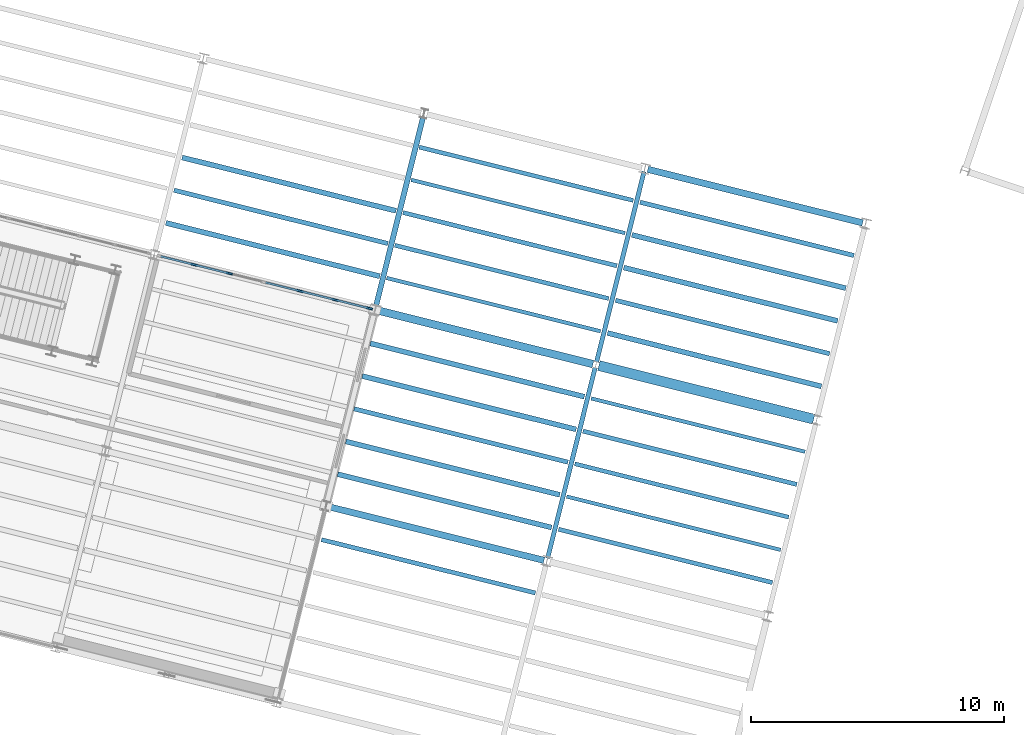
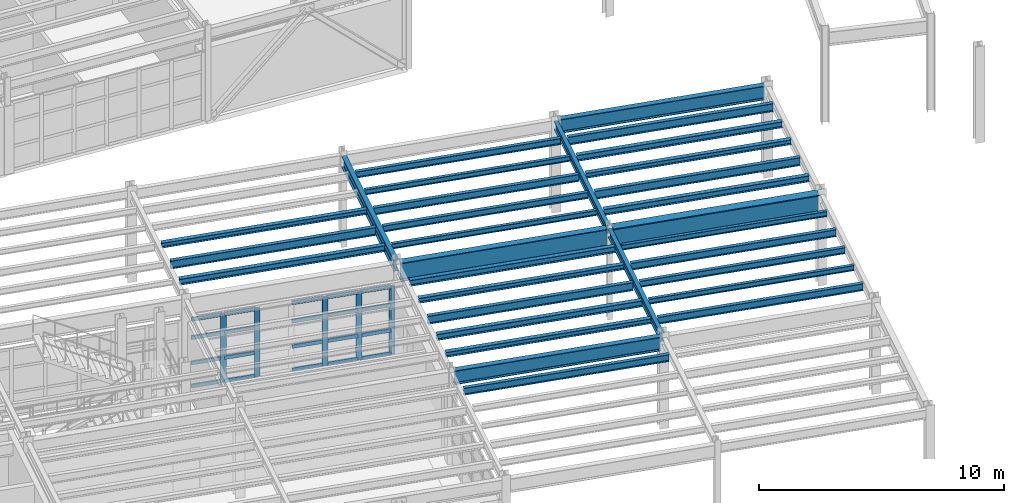
# One storey, part 35 of 109: 31 beams, 25 members, 1 element without a shape of its own.
"""IFC4 building model written with IfcOpenShell, lengths in metres."""

from ifc_helpers import new_model, si_unit, direction, frame, origin, origin_2d, place, context, subcontext, project, spatial, rectangle, i_section, extrude, material, layer, layer_set, material_profile, profile_set, type_object, element, aggregate, save


model = new_model("IFC4")

# Units and contexts
model_context = context("Model", 3, precision=1e-05, world=origin(), true_north=direction((0.0, 1.0)))
body_context = subcontext(model_context, "Body", "Model", "MODEL_VIEW")
ifc_project = project(units=[si_unit("LENGTHUNIT", "METRE"), si_unit("AREAUNIT", "SQUARE_METRE"), si_unit("VOLUMEUNIT", "CUBIC_METRE"), si_unit("PLANEANGLEUNIT", "RADIAN"), si_unit("MASSUNIT", "GRAM", prefix="KILO")], contexts=[model_context])

# Site, building, storey
site_placement = place(None, origin())
site = spatial("IfcSite", under=ifc_project, at=site_placement, CompositionType="ELEMENT")
building_placement = place(site_placement, origin())
building = spatial("IfcBuilding", under=site, at=building_placement, Name="Vireo Bluff Cable Station", CompositionType="ELEMENT")
storey_placement = place(building_placement, frame((0.0, 0.0, 4.800048828125)))
storey = spatial("IfcBuildingStorey", under=building, at=storey_placement, Name="L01", CompositionType="ELEMENT", Elevation=4.800048828125)

# Beams
ifc_material_1 = material(Name="Steel ASTM A992 Gr. 50", Category="steel")
ifc_material_profile_1 = material_profile(ifc_material_1, i_section(OverallWidth=0.178955078125, OverallDepth=0.408935546875, WebThickness=0.0087890625, FlangeThickness=0.014404296875, FilletRadius=0.010009765625, at=origin_2d()), Name="W16X45")
ifc_profile_set_1 = profile_set([ifc_material_profile_1], Name="Steel ASTM A992 Gr. 50")
beam_type_1 = type_object("IfcBeamType", Name="BM-W16X45", PredefinedType="BEAM", material=ifc_profile_set_1)
beam_1_placement = place(storey_placement, frame((90.89501953125, 37.169677734375, 4.33544921875), z_axis=(0.241935966891, 0.970292217801, 0.0), x_axis=(-0.970292217801, 0.241935966891, 0.0)))
element("IfcBeam", 1, at=beam_1_placement, inside=storey, type_object=beam_type_1, Name="V1 L01 beam 73", PredefinedType="BEAM", context=body_context, shape_type="SweptSolid", body=[
    extrude(i_section(OverallWidth=0.178955078125, OverallDepth=0.408935546875, WebThickness=0.0087890625, FlangeThickness=0.014404296875, FilletRadius=0.010009765625, at=origin_2d()), origin(), (0.0, 0.0, 1.0), 7.760009765625),
])
ifc_material_profile_2 = material_profile(ifc_material_1, i_section(OverallWidth=0.180908203125, OverallDepth=0.4169921875, WebThickness=0.010986328125, FlangeThickness=0.018310546875, FilletRadius=0.010009765625, at=origin_2d()), Name="W16X57")
ifc_profile_set_2 = profile_set([ifc_material_profile_2], Name="Steel ASTM A992 Gr. 50")
beam_type_2 = type_object("IfcBeamType", Name="BM-W16X57", PredefinedType="BEAM", material=ifc_profile_set_2)
beam_2_placement = place(storey_placement, frame((92.830322265625, 44.931884765625, 4.33154296875), z_axis=(0.241935966891, 0.970292217801, 0.0), x_axis=(-0.970292217801, 0.241935966891, 0.0)))
element("IfcBeam", 2, at=beam_2_placement, inside=storey, type_object=beam_type_2, Name="V1 L01 beam 74", PredefinedType="BEAM", context=body_context, shape_type="SweptSolid", body=[
    extrude(i_section(OverallWidth=0.180908203125, OverallDepth=0.4169921875, WebThickness=0.010986328125, FlangeThickness=0.018310546875, FilletRadius=0.010009765625, at=origin_2d()), origin(), (0.0, 0.0, 1.0), 7.760009765625),
])
ifc_material_profile_3 = material_profile(ifc_material_1, i_section(OverallWidth=0.214111328125, OverallDepth=0.549072265625, WebThickness=0.0146484375, FlangeThickness=0.023681640625, FilletRadius=0.012939453125, at=origin_2d()), Name="W21X93")
ifc_profile_set_3 = profile_set([ifc_material_profile_3], Name="Steel ASTM A992 Gr. 50")
beam_type_3 = type_object("IfcBeamType", Name="BM-W21X93", PredefinedType="BEAM", material=ifc_profile_set_3)
beam_3_placement = place(storey_placement, frame((84.09765625, 47.109375, 4.265380859375), z_axis=(0.241943352562, 0.970290376203, 0.0), x_axis=(-0.970290376203, 0.241943352562, 0.0)))
element("IfcBeam", 3, at=beam_3_placement, inside=storey, type_object=beam_type_3, Name="V1 L01 beam 71", PredefinedType="BEAM", context=body_context, shape_type="SweptSolid", body=[
    extrude(i_section(OverallWidth=0.214111328125, OverallDepth=0.549072265625, WebThickness=0.0146484375, FlangeThickness=0.023681640625, FilletRadius=0.012939453125, at=origin_2d()), origin(), (0.0, 0.0, 1.0), 7.759765625),
])

# Curtain wall, members
ifc_material_2 = material(Name="Anodized Aluminium 6063-T6", Category="aluminium")
ifc_layer = layer(ifc_material_2, 0.179931640625, Name="Anodized Aluminium 6063-T6")
ifc_layer_set = layer_set([ifc_layer], Name="Anodized Aluminium 6063-T6")
curtain_wall_type = type_object("IfcCurtainWallType", Name="CW-UNIT-1500", PredefinedType="USERDEFINED", material=ifc_layer_set)
curtain_wall_placement = place(storey_placement, origin())
curtain_wall = element("IfcCurtainWall", 4, at=curtain_wall_placement, inside=storey, type_object=curtain_wall_type, Name="V1 L01 north curtain wall CW-007", ObjectType="UNITISED CURTAIN WALL", PredefinedType="USERDEFINED")
ifc_material_profile_4 = material_profile(ifc_material_2, rectangle(XDim=0.080078125, YDim=0.239990234375, at=origin_2d()), Name="ALU-M-80X240")
ifc_profile_set_4 = profile_set([ifc_material_profile_4], Name="Anodized Aluminium 6063-T6")
member_type_1 = type_object("IfcMemberType", Name="CWM-04", PredefinedType="MULLION", material=ifc_profile_set_4)
member_1_placement = place(storey_placement, frame((76.91259765625, 48.777099609375, 0.0), z_axis=(0.0, 0.0, 1.0), x_axis=(0.241921864202, 0.970295734104, 0.0)))
member_1 = element("IfcMember", 5, at=member_1_placement, type_object=member_type_1, Name="CW-007 mullion 2", PredefinedType="MULLION", context=body_context, shape_type="SweptSolid", body=[
    extrude(rectangle(XDim=0.080078125, YDim=0.239990234375, at=origin_2d()), origin(), (0.0, 0.0, 1.0), 3.39990234375),
])
member_2_placement = place(storey_placement, frame((78.307373046875, 48.42919921875, 0.0), z_axis=(0.0, 0.0, 1.0), x_axis=(0.241921864202, 0.970295734104, 0.0)))
member_2 = element("IfcMember", 6, at=member_2_placement, type_object=member_type_1, Name="CW-007 mullion 3", PredefinedType="MULLION", context=body_context, shape_type="SweptSolid", body=[
    extrude(rectangle(XDim=0.080078125, YDim=0.239990234375, at=origin_2d()), origin(), (0.0, 0.0, 1.0), 3.39990234375),
])
member_3_placement = place(storey_placement, frame((81.097412109375, 47.733642578125, 0.0), z_axis=(0.0, 0.0, 1.0), x_axis=(0.241921864202, 0.970295734104, 0.0)))
member_3 = element("IfcMember", 7, at=member_3_placement, type_object=member_type_1, Name="CW-007 mullion 5", PredefinedType="MULLION", context=body_context, shape_type="SweptSolid", body=[
    extrude(rectangle(XDim=0.080078125, YDim=0.239990234375, at=origin_2d()), origin(), (0.0, 0.0, 1.0), 3.39990234375),
])
member_4_placement = place(storey_placement, frame((82.492431640625, 47.385986328125, 0.0), z_axis=(0.0, 0.0, 1.0), x_axis=(0.241921864202, 0.970295734104, 0.0)))
member_4 = element("IfcMember", 8, at=member_4_placement, type_object=member_type_1, Name="CW-007 mullion 6", PredefinedType="MULLION", context=body_context, shape_type="SweptSolid", body=[
    extrude(rectangle(XDim=0.080078125, YDim=0.239990234375, at=origin_2d()), origin(), (0.0, 0.0, 1.0), 3.39990234375),
])
member_5_placement = place(storey_placement, frame((83.848388671875, 47.0478515625, 0.0), z_axis=(0.0, 0.0, 1.0), x_axis=(0.241921864202, 0.970295734104, 0.0)))
member_5 = element("IfcMember", 9, at=member_5_placement, type_object=member_type_1, Name="CW-007 mullion 7", PredefinedType="MULLION", context=body_context, shape_type="SweptSolid", body=[
    extrude(rectangle(XDim=0.080078125, YDim=0.239990234375, at=origin_2d()), origin(), (0.0, 0.0, 1.0), 3.39990234375),
])
ifc_material_profile_5 = material_profile(ifc_material_2, rectangle(XDim=0.080078125, YDim=0.175048828125, at=origin_2d()), Name="ALU-T-80X175")
ifc_profile_set_5 = profile_set([ifc_material_profile_5], Name="Anodized Aluminium 6063-T6")
member_type_2 = type_object("IfcMemberType", Name="CWT-04", PredefinedType="USERDEFINED", material=ifc_profile_set_5)
member_6_placement = place(storey_placement, frame((75.59521484375, 49.10546875, 0.0400390625), z_axis=(0.970327500136, -0.241794421936, 0.0), x_axis=(0.241794421936, 0.970327500136, 0.0)))
member_6 = element("IfcMember", 10, at=member_6_placement, type_object=member_type_2, Name="CW-007 transom 1.1", ObjectType="TRANSOM", PredefinedType="USERDEFINED", context=body_context, shape_type="SweptSolid", body=[
    extrude(rectangle(XDim=0.080078125, YDim=0.175048828125, at=origin_2d()), origin(), (0.0, 0.0, 1.0), 1.317626953125),
])
member_7_placement = place(storey_placement, frame((75.59521484375, 49.10546875, 1.18994140625), z_axis=(0.970327500136, -0.241794421936, 0.0), x_axis=(0.241794421936, 0.970327500136, 0.0)))
member_7 = element("IfcMember", 11, at=member_7_placement, type_object=member_type_2, Name="CW-007 transom 1.2", ObjectType="TRANSOM", PredefinedType="USERDEFINED", context=body_context, shape_type="SweptSolid", body=[
    extrude(rectangle(XDim=0.080078125, YDim=0.175048828125, at=origin_2d()), origin(), (0.0, 0.0, 1.0), 1.317626953125),
])
member_8_placement = place(storey_placement, frame((75.59521484375, 49.10546875, 2.447998046875), z_axis=(0.970327500136, -0.241794421936, 0.0), x_axis=(0.241794421936, 0.970327500136, 0.0)))
member_8 = element("IfcMember", 12, at=member_8_placement, type_object=member_type_2, Name="CW-007 transom 1.3", ObjectType="TRANSOM", PredefinedType="USERDEFINED", context=body_context, shape_type="SweptSolid", body=[
    extrude(rectangle(XDim=0.080078125, YDim=0.175048828125, at=origin_2d()), origin(), (0.0, 0.0, 1.0), 1.317626953125),
])
member_9_placement = place(storey_placement, frame((75.59521484375, 49.10546875, 3.35986328125), z_axis=(0.970327500136, -0.241794421936, 0.0), x_axis=(0.241794421936, 0.970327500136, 0.0)))
member_9 = element("IfcMember", 13, at=member_9_placement, type_object=member_type_2, Name="CW-007 transom 1.4", ObjectType="TRANSOM", PredefinedType="USERDEFINED", context=body_context, shape_type="SweptSolid", body=[
    extrude(rectangle(XDim=0.080078125, YDim=0.175048828125, at=origin_2d()), origin(), (0.0, 0.0, 1.0), 1.317626953125),
])
member_10_placement = place(storey_placement, frame((76.951171875, 48.767333984375, 0.0400390625), z_axis=(0.970311506787, -0.241858594631, 0.0), x_axis=(0.241858594631, 0.970311506787, 0.0)))
member_10 = element("IfcMember", 14, at=member_10_placement, type_object=member_type_2, Name="CW-007 transom 2.1", ObjectType="TRANSOM", PredefinedType="USERDEFINED", context=body_context, shape_type="SweptSolid", body=[
    extrude(rectangle(XDim=0.080078125, YDim=0.175048828125, at=origin_2d()), origin(), (0.0, 0.0, 1.0), 1.357666015625),
])
member_11_placement = place(storey_placement, frame((76.951171875, 48.767333984375, 1.18994140625), z_axis=(0.970311506787, -0.241858594631, 0.0), x_axis=(0.241858594631, 0.970311506787, 0.0)))
member_11 = element("IfcMember", 15, at=member_11_placement, type_object=member_type_2, Name="CW-007 transom 2.2", ObjectType="TRANSOM", PredefinedType="USERDEFINED", context=body_context, shape_type="SweptSolid", body=[
    extrude(rectangle(XDim=0.080078125, YDim=0.175048828125, at=origin_2d()), origin(), (0.0, 0.0, 1.0), 1.357666015625),
])
member_12_placement = place(storey_placement, frame((76.951171875, 48.767333984375, 2.447998046875), z_axis=(0.970311506787, -0.241858594631, 0.0), x_axis=(0.241858594631, 0.970311506787, 0.0)))
member_12 = element("IfcMember", 16, at=member_12_placement, type_object=member_type_2, Name="CW-007 transom 2.3", ObjectType="TRANSOM", PredefinedType="USERDEFINED", context=body_context, shape_type="SweptSolid", body=[
    extrude(rectangle(XDim=0.080078125, YDim=0.175048828125, at=origin_2d()), origin(), (0.0, 0.0, 1.0), 1.357666015625),
])
member_13_placement = place(storey_placement, frame((76.951171875, 48.767333984375, 3.35986328125), z_axis=(0.970311506787, -0.241858594631, 0.0), x_axis=(0.241858594631, 0.970311506787, 0.0)))
member_13 = element("IfcMember", 17, at=member_13_placement, type_object=member_type_2, Name="CW-007 transom 2.4", ObjectType="TRANSOM", PredefinedType="USERDEFINED", context=body_context, shape_type="SweptSolid", body=[
    extrude(rectangle(XDim=0.080078125, YDim=0.175048828125, at=origin_2d()), origin(), (0.0, 0.0, 1.0), 1.357666015625),
])
member_14_placement = place(storey_placement, frame((79.7412109375, 48.07177734375, 0.0400390625), z_axis=(0.970311506787, -0.241858594631, 0.0), x_axis=(0.241858594631, 0.970311506787, 0.0)))
member_14 = element("IfcMember", 18, at=member_14_placement, type_object=member_type_2, Name="CW-007 transom 4.1", ObjectType="TRANSOM", PredefinedType="USERDEFINED", context=body_context, shape_type="SweptSolid", body=[
    extrude(rectangle(XDim=0.080078125, YDim=0.175048828125, at=origin_2d()), origin(), (0.0, 0.0, 1.0), 1.357666015625),
])
member_15_placement = place(storey_placement, frame((79.7412109375, 48.07177734375, 1.18994140625), z_axis=(0.970311506787, -0.241858594631, 0.0), x_axis=(0.241858594631, 0.970311506787, 0.0)))
member_15 = element("IfcMember", 19, at=member_15_placement, type_object=member_type_2, Name="CW-007 transom 4.2", ObjectType="TRANSOM", PredefinedType="USERDEFINED", context=body_context, shape_type="SweptSolid", body=[
    extrude(rectangle(XDim=0.080078125, YDim=0.175048828125, at=origin_2d()), origin(), (0.0, 0.0, 1.0), 1.357666015625),
])
member_16_placement = place(storey_placement, frame((79.7412109375, 48.07177734375, 2.447998046875), z_axis=(0.970311506787, -0.241858594631, 0.0), x_axis=(0.241858594631, 0.970311506787, 0.0)))
member_16 = element("IfcMember", 20, at=member_16_placement, type_object=member_type_2, Name="CW-007 transom 4.3", ObjectType="TRANSOM", PredefinedType="USERDEFINED", context=body_context, shape_type="SweptSolid", body=[
    extrude(rectangle(XDim=0.080078125, YDim=0.175048828125, at=origin_2d()), origin(), (0.0, 0.0, 1.0), 1.357666015625),
])
member_17_placement = place(storey_placement, frame((79.7412109375, 48.07177734375, 3.35986328125), z_axis=(0.970311506787, -0.241858594631, 0.0), x_axis=(0.241858594631, 0.970311506787, 0.0)))
member_17 = element("IfcMember", 21, at=member_17_placement, type_object=member_type_2, Name="CW-007 transom 4.4", ObjectType="TRANSOM", PredefinedType="USERDEFINED", context=body_context, shape_type="SweptSolid", body=[
    extrude(rectangle(XDim=0.080078125, YDim=0.175048828125, at=origin_2d()), origin(), (0.0, 0.0, 1.0), 1.357666015625),
])
member_18_placement = place(storey_placement, frame((81.13623046875, 47.72412109375, 0.0400390625), z_axis=(0.970269293903, -0.242027885395, 0.0), x_axis=(0.242027885395, 0.970269293903, 0.0)))
member_18 = element("IfcMember", 22, at=member_18_placement, type_object=member_type_2, Name="CW-007 transom 5.1", ObjectType="TRANSOM", PredefinedType="USERDEFINED", context=body_context, shape_type="SweptSolid", body=[
    extrude(rectangle(XDim=0.080078125, YDim=0.175048828125, at=origin_2d()), origin(), (0.0, 0.0, 1.0), 1.357666015625),
])
member_19_placement = place(storey_placement, frame((81.13623046875, 47.72412109375, 1.18994140625), z_axis=(0.970269293903, -0.242027885395, 0.0), x_axis=(0.242027885395, 0.970269293903, 0.0)))
member_19 = element("IfcMember", 23, at=member_19_placement, type_object=member_type_2, Name="CW-007 transom 5.2", ObjectType="TRANSOM", PredefinedType="USERDEFINED", context=body_context, shape_type="SweptSolid", body=[
    extrude(rectangle(XDim=0.080078125, YDim=0.175048828125, at=origin_2d()), origin(), (0.0, 0.0, 1.0), 1.357666015625),
])
member_20_placement = place(storey_placement, frame((81.13623046875, 47.72412109375, 2.447998046875), z_axis=(0.970269293903, -0.242027885395, 0.0), x_axis=(0.242027885395, 0.970269293903, 0.0)))
member_20 = element("IfcMember", 24, at=member_20_placement, type_object=member_type_2, Name="CW-007 transom 5.3", ObjectType="TRANSOM", PredefinedType="USERDEFINED", context=body_context, shape_type="SweptSolid", body=[
    extrude(rectangle(XDim=0.080078125, YDim=0.175048828125, at=origin_2d()), origin(), (0.0, 0.0, 1.0), 1.357666015625),
])
member_21_placement = place(storey_placement, frame((81.13623046875, 47.72412109375, 3.35986328125), z_axis=(0.970269293903, -0.242027885395, 0.0), x_axis=(0.242027885395, 0.970269293903, 0.0)))
member_21 = element("IfcMember", 25, at=member_21_placement, type_object=member_type_2, Name="CW-007 transom 5.4", ObjectType="TRANSOM", PredefinedType="USERDEFINED", context=body_context, shape_type="SweptSolid", body=[
    extrude(rectangle(XDim=0.080078125, YDim=0.175048828125, at=origin_2d()), origin(), (0.0, 0.0, 1.0), 1.357666015625),
])
member_22_placement = place(storey_placement, frame((82.53125, 47.376220703125, 0.0400390625), z_axis=(0.970273164763, -0.242012366918, 0.0), x_axis=(0.242012366918, 0.970273164763, 0.0)))
member_22 = element("IfcMember", 26, at=member_22_placement, type_object=member_type_2, Name="CW-007 transom 6.1", ObjectType="TRANSOM", PredefinedType="USERDEFINED", context=body_context, shape_type="SweptSolid", body=[
    extrude(rectangle(XDim=0.080078125, YDim=0.175048828125, at=origin_2d()), origin(), (0.0, 0.0, 1.0), 1.3173828125),
])
member_23_placement = place(storey_placement, frame((82.53125, 47.376220703125, 1.18994140625), z_axis=(0.970273164763, -0.242012366918, 0.0), x_axis=(0.242012366918, 0.970273164763, 0.0)))
member_23 = element("IfcMember", 27, at=member_23_placement, type_object=member_type_2, Name="CW-007 transom 6.2", ObjectType="TRANSOM", PredefinedType="USERDEFINED", context=body_context, shape_type="SweptSolid", body=[
    extrude(rectangle(XDim=0.080078125, YDim=0.175048828125, at=origin_2d()), origin(), (0.0, 0.0, 1.0), 1.3173828125),
])
member_24_placement = place(storey_placement, frame((82.53125, 47.376220703125, 2.447998046875), z_axis=(0.970273164763, -0.242012366918, 0.0), x_axis=(0.242012366918, 0.970273164763, 0.0)))
member_24 = element("IfcMember", 28, at=member_24_placement, type_object=member_type_2, Name="CW-007 transom 6.3", ObjectType="TRANSOM", PredefinedType="USERDEFINED", context=body_context, shape_type="SweptSolid", body=[
    extrude(rectangle(XDim=0.080078125, YDim=0.175048828125, at=origin_2d()), origin(), (0.0, 0.0, 1.0), 1.3173828125),
])
member_25_placement = place(storey_placement, frame((82.53125, 47.376220703125, 3.35986328125), z_axis=(0.970273164763, -0.242012366918, 0.0), x_axis=(0.242012366918, 0.970273164763, 0.0)))
member_25 = element("IfcMember", 29, at=member_25_placement, type_object=member_type_2, Name="CW-007 transom 6.4", ObjectType="TRANSOM", PredefinedType="USERDEFINED", context=body_context, shape_type="SweptSolid", body=[
    extrude(rectangle(XDim=0.080078125, YDim=0.175048828125, at=origin_2d()), origin(), (0.0, 0.0, 1.0), 1.3173828125),
])
aggregate(curtain_wall, [member_1, member_2, member_3, member_4, member_5, member_6, member_7, member_8, member_9, member_10, member_11, member_12, member_13, member_14, member_15, member_16, member_17, member_18, member_19, member_20, member_21, member_22, member_23, member_24, member_25])

# Beams
ifc_material_profile_6 = material_profile(ifc_material_1, i_section(OverallWidth=0.257080078125, OverallDepth=0.693115234375, WebThickness=0.014404296875, FlangeThickness=0.023681640625, FilletRadius=0.014892578125, at=origin_2d()), Name="W27X114")
ifc_profile_set_6 = profile_set([ifc_material_profile_6], Name="Steel ASTM A992 Gr. 50")
beam_type_4 = type_object("IfcBeamType", Name="GIR-W27X114", PredefinedType="USERDEFINED", material=ifc_profile_set_6)
beam_4_placement = place(storey_placement, frame((82.249755859375, 39.201416015625, 4.193359375), z_axis=(0.970298044881, -0.241912595995, 0.0), x_axis=(0.241912595995, 0.970298044881, 0.0)))
element("IfcBeam", 30, at=beam_4_placement, inside=storey, type_object=beam_type_4, Name="V1 L01 girder 48", ObjectType="GIRDER", PredefinedType="USERDEFINED", context=body_context, shape_type="SweptSolid", body=[
    extrude(i_section(OverallWidth=0.257080078125, OverallDepth=0.693115234375, WebThickness=0.014404296875, FlangeThickness=0.023681640625, FilletRadius=0.014892578125, at=origin_2d()), origin(), (0.0, 0.0, 1.0), 8.760009765625),
])
ifc_material_profile_7 = material_profile(ifc_material_1, i_section(OverallWidth=0.306884765625, OverallDepth=0.927001953125, WebThickness=0.019287109375, FlangeThickness=0.031982421875, FilletRadius=0.02001953125, at=origin_2d()), Name="W36X194")
ifc_profile_set_7 = profile_set([ifc_material_profile_7], Name="Steel ASTM A992 Gr. 50")
beam_type_5 = type_object("IfcBeamType", Name="GIR-W36X194", PredefinedType="USERDEFINED", material=ifc_profile_set_7)
beam_5_placement = place(storey_placement, frame((84.18505859375, 46.9638671875, 4.076416015625), z_axis=(0.970293133976, -0.24193229251, 0.0), x_axis=(0.24193229251, 0.970293133976, 0.0)))
element("IfcBeam", 31, at=beam_5_placement, inside=storey, type_object=beam_type_5, Name="V1 L01 girder 53", ObjectType="GIRDER", PredefinedType="USERDEFINED", context=body_context, shape_type="SweptSolid", body=[
    extrude(i_section(OverallWidth=0.306884765625, OverallDepth=0.927001953125, WebThickness=0.019287109375, FlangeThickness=0.031982421875, FilletRadius=0.02001953125, at=origin_2d()), origin(), (0.0, 0.0, 1.0), 8.76025390625),
])
ifc_material_profile_8 = material_profile(ifc_material_1, i_section(OverallWidth=0.404052734375, OverallDepth=1.117919921875, WebThickness=0.026123046875, FlangeThickness=0.044921875, FilletRadius=0.02197265625, at=origin_2d()), Name="W44X335")
ifc_profile_set_8 = profile_set([ifc_material_profile_8], Name="Steel ASTM A992 Gr. 50")
beam_type_6 = type_object("IfcBeamType", Name="GIR-W44X335", PredefinedType="USERDEFINED", material=ifc_profile_set_8)
beam_6_placement = place(storey_placement, frame((92.917724609375, 44.78662109375, 3.98095703125), z_axis=(0.970293133976, -0.24193229251, 0.0), x_axis=(0.24193229251, 0.970293133976, 0.0)))
element("IfcBeam", 32, at=beam_6_placement, inside=storey, type_object=beam_type_6, Name="V1 L01 girder 54", ObjectType="GIRDER", PredefinedType="USERDEFINED", context=body_context, shape_type="SweptSolid", body=[
    extrude(i_section(OverallWidth=0.404052734375, OverallDepth=1.117919921875, WebThickness=0.026123046875, FlangeThickness=0.044921875, FilletRadius=0.02197265625, at=origin_2d()), origin(), (0.0, 0.0, 1.0), 8.76025390625),
])
ifc_material_profile_9 = material_profile(ifc_material_1, i_section(OverallWidth=0.14599609375, OverallDepth=0.259033203125, WebThickness=0.006103515625, FlangeThickness=0.009033203125, FilletRadius=0.009033203125, at=origin_2d()), Name="W10X22")
ifc_profile_set_9 = profile_set([ifc_material_profile_9], Name="Steel ASTM A992 Gr. 50")
beam_type_7 = type_object("IfcBeamType", Name="JST-W10X22", PredefinedType="JOIST", material=ifc_profile_set_9)
for number, where, z_axis, x_axis, name in (
    (33, (84.527099609375, 48.252685546875, 4.410400390625), (0.970293828661, -0.24192950639, 0.0), (0.24192950639, 0.970293828661, 0.0), "V1 L01 composite joist 125"),
    (34, (85.494873046875, 52.1337890625, 4.410400390625), (0.970300400641, -0.241903146974, 0.0), (0.241903146974, 0.970300400641, 0.0), "V1 L01 composite joist 128"),
    (35, (91.64697265625, 39.606689453125, 4.410400390625), (0.970300400641, -0.241903146974, 0.0), (0.241903146974, 0.970300400641, 0.0), "V1 L01 composite joist 136"),
    (36, (92.61474609375, 43.488037109375, 4.410400390625), (0.970293828661, -0.24192950639, 0.0), (0.24192950639, 0.970293828661, 0.0), "V1 L01 composite joist 139"),
):
    element("IfcBeam", number, at=place(storey_placement, frame(where, z_axis=z_axis, x_axis=x_axis)), inside=storey, type_object=beam_type_7, Name=name, PredefinedType="JOIST", context=body_context, shape_type="SweptSolid", body=[
        extrude(i_section(OverallWidth=0.14599609375, OverallDepth=0.259033203125, WebThickness=0.006103515625, FlangeThickness=0.009033203125, FilletRadius=0.009033203125, at=origin_2d()), origin(), (0.0, 0.0, 1.0), 8.719970703125),
    ])
ifc_material_profile_10 = material_profile(ifc_material_1, i_section(OverallWidth=0.201904296875, OverallDepth=0.2470703125, WebThickness=0.00732421875, FlangeThickness=0.010986328125, FilletRadius=0.009033203125, at=origin_2d()), Name="W10X33")
ifc_profile_set_10 = profile_set([ifc_material_profile_10], Name="Steel ASTM A992 Gr. 50")
beam_type_8 = type_object("IfcBeamType", Name="JST-W10X33", PredefinedType="JOIST", material=ifc_profile_set_10)
for number, where, z_axis, x_axis, name in (
    (37, (76.439697265625, 53.017333984375, 4.41650390625), (0.970300400641, -0.241903146974, 0.0), (0.241903146974, 0.970300400641, 0.0), "V1 L01 composite joist 112"),
    (38, (82.591796875, 40.490234375, 4.41650390625), (0.970300400641, -0.241903146974, 0.0), (0.241903146974, 0.970300400641, 0.0), "V1 L01 composite joist 120"),
    (39, (83.5595703125, 44.37158203125, 4.41650390625), (0.970293828661, -0.24192950639, 0.0), (0.24192950639, 0.970293828661, 0.0), "V1 L01 composite joist 123"),
    (40, (93.905029296875, 48.662841796875, 4.41650390625), (0.970293828661, -0.24192950639, 0.0), (0.24192950639, 0.970293828661, 0.0), "V1 L01 composite joist 142"),
):
    element("IfcBeam", number, at=place(storey_placement, frame(where, z_axis=z_axis, x_axis=x_axis)), inside=storey, type_object=beam_type_8, Name=name, PredefinedType="JOIST", context=body_context, shape_type="SweptSolid", body=[
        extrude(i_section(OverallWidth=0.201904296875, OverallDepth=0.2470703125, WebThickness=0.00732421875, FlangeThickness=0.010986328125, FilletRadius=0.009033203125, at=origin_2d()), origin(), (0.0, 0.0, 1.0), 8.719970703125),
    ])
ifc_material_profile_11 = material_profile(ifc_material_1, i_section(OverallWidth=0.1650390625, OverallDepth=0.31005859375, WebThickness=0.005859375, FlangeThickness=0.009765625, FilletRadius=0.010009765625, at=origin_2d()), Name="W12X26")
ifc_profile_set_11 = profile_set([ifc_material_profile_11], Name="Steel ASTM A992 Gr. 50")
beam_type_9 = type_object("IfcBeamType", Name="JST-W12X26", PredefinedType="JOIST", material=ifc_profile_set_11)
beam_7_placement = place(storey_placement, frame((84.849609375, 49.54638671875, 4.385009765625), z_axis=(0.970295467306, -0.24192293427, 0.0), x_axis=(0.24192293427, 0.970295467306, 0.0)))
element("IfcBeam", 41, at=beam_7_placement, inside=storey, type_object=beam_type_9, Name="V1 L01 composite joist 126", PredefinedType="JOIST", context=body_context, shape_type="SweptSolid", body=[
    extrude(i_section(OverallWidth=0.1650390625, OverallDepth=0.31005859375, WebThickness=0.005859375, FlangeThickness=0.009765625, FilletRadius=0.010009765625, at=origin_2d()), origin(), (0.0, 0.0, 1.0), 8.72021484375),
])
for number, where, z_axis, x_axis, name in (
    (42, (85.8173828125, 53.427490234375, 4.385009765625), (0.970300400641, -0.241903146974, 0.0), (0.241903146974, 0.970300400641, 0.0), "V1 L01 composite joist 129"),
    (43, (91.969482421875, 40.900390625, 4.385009765625), (0.970300400641, -0.241903146974, 0.0), (0.241903146974, 0.970300400641, 0.0), "V1 L01 composite joist 137"),
):
    element("IfcBeam", number, at=place(storey_placement, frame(where, z_axis=z_axis, x_axis=x_axis)), inside=storey, type_object=beam_type_9, Name=name, PredefinedType="JOIST", context=body_context, shape_type="SweptSolid", body=[
        extrude(i_section(OverallWidth=0.1650390625, OverallDepth=0.31005859375, WebThickness=0.005859375, FlangeThickness=0.009765625, FilletRadius=0.010009765625, at=origin_2d()), origin(), (0.0, 0.0, 1.0), 8.719970703125),
    ])
ifc_material_profile_12 = material_profile(ifc_material_1, i_section(OverallWidth=0.202880859375, OverallDepth=0.302978515625, WebThickness=0.007568359375, FlangeThickness=0.01318359375, FilletRadius=0.010009765625, at=origin_2d()), Name="W12X40")
ifc_profile_set_12 = profile_set([ifc_material_profile_12], Name="Steel ASTM A992 Gr. 50")
beam_type_10 = type_object("IfcBeamType", Name="JST-W12X40", PredefinedType="JOIST", material=ifc_profile_set_12)
for number, where, z_axis, x_axis, name in (
    (44, (75.79443359375, 50.429931640625, 4.388427734375), (0.970300400641, -0.241903146974, 0.0), (0.241903146974, 0.970300400641, 0.0), "V1 L01 composite joist 110"),
    (45, (82.914306640625, 41.7841796875, 4.388427734375), (0.970293828661, -0.24192950639, 0.0), (0.24192950639, 0.970293828661, 0.0), "V1 L01 composite joist 121"),
    (46, (83.882080078125, 45.665283203125, 4.388427734375), (0.970293828661, -0.24192950639, 0.0), (0.24192950639, 0.970293828661, 0.0), "V1 L01 composite joist 124"),
    (47, (93.259765625, 46.075439453125, 4.388427734375), (0.970293828661, -0.24192950639, 0.0), (0.24192950639, 0.970293828661, 0.0), "V1 L01 composite joist 140"),
    (48, (94.2275390625, 49.95654296875, 4.388427734375), (0.970293828661, -0.24192950639, 0.0), (0.24192950639, 0.970293828661, 0.0), "V1 L01 composite joist 143"),
):
    element("IfcBeam", number, at=place(storey_placement, frame(where, z_axis=z_axis, x_axis=x_axis)), inside=storey, type_object=beam_type_10, Name=name, PredefinedType="JOIST", context=body_context, shape_type="SweptSolid", body=[
        extrude(i_section(OverallWidth=0.202880859375, OverallDepth=0.302978515625, WebThickness=0.007568359375, FlangeThickness=0.01318359375, FilletRadius=0.010009765625, at=origin_2d()), origin(), (0.0, 0.0, 1.0), 8.719970703125),
    ])
ifc_material_profile_13 = material_profile(ifc_material_1, i_section(OverallWidth=0.1708984375, OverallDepth=0.35107421875, WebThickness=0.0068359375, FlangeThickness=0.009765625, FilletRadius=0.010009765625, at=origin_2d()), Name="W14X30")
ifc_profile_set_13 = profile_set([ifc_material_profile_13], Name="Steel ASTM A992 Gr. 50")
beam_type_11 = type_object("IfcBeamType", Name="JST-W14X30", PredefinedType="JOIST", material=ifc_profile_set_13)
beam_8_placement = place(storey_placement, frame((81.946533203125, 37.90283203125, 4.364501953125), z_axis=(0.970295467306, -0.24192293427, 0.0), x_axis=(0.24192293427, 0.970295467306, 0.0)))
element("IfcBeam", 49, at=beam_8_placement, inside=storey, type_object=beam_type_11, Name="V1 L01 composite joist 119", PredefinedType="JOIST", context=body_context, shape_type="SweptSolid", body=[
    extrude(i_section(OverallWidth=0.1708984375, OverallDepth=0.35107421875, WebThickness=0.0068359375, FlangeThickness=0.009765625, FilletRadius=0.010009765625, at=origin_2d()), origin(), (0.0, 0.0, 1.0), 8.72021484375),
])
for number, where, z_axis, x_axis, name in (
    (50, (85.17236328125, 50.840087890625, 4.364501953125), (0.970300400641, -0.241903146974, 0.0), (0.241903146974, 0.970300400641, 0.0), "V1 L01 composite joist 127"),
    (51, (91.324462890625, 38.31298828125, 4.364501953125), (0.970293828661, -0.24192950639, 0.0), (0.24192950639, 0.970293828661, 0.0), "V1 L01 composite joist 135"),
):
    element("IfcBeam", number, at=place(storey_placement, frame(where, z_axis=z_axis, x_axis=x_axis)), inside=storey, type_object=beam_type_11, Name=name, PredefinedType="JOIST", context=body_context, shape_type="SweptSolid", body=[
        extrude(i_section(OverallWidth=0.1708984375, OverallDepth=0.35107421875, WebThickness=0.0068359375, FlangeThickness=0.009765625, FilletRadius=0.010009765625, at=origin_2d()), origin(), (0.0, 0.0, 1.0), 8.719970703125),
    ])
beam_9_placement = place(storey_placement, frame((92.2919921875, 42.1943359375, 4.364501953125), z_axis=(0.970295467306, -0.24192293427, 0.0), x_axis=(0.24192293427, 0.970295467306, 0.0)))
element("IfcBeam", 52, at=beam_9_placement, inside=storey, type_object=beam_type_11, Name="V1 L01 composite joist 138", PredefinedType="JOIST", context=body_context, shape_type="SweptSolid", body=[
    extrude(i_section(OverallWidth=0.1708984375, OverallDepth=0.35107421875, WebThickness=0.0068359375, FlangeThickness=0.009765625, FilletRadius=0.010009765625, at=origin_2d()), origin(), (0.0, 0.0, 1.0), 8.72021484375),
])
ifc_material_profile_14 = material_profile(ifc_material_1, i_section(OverallWidth=0.177978515625, OverallDepth=0.404052734375, WebThickness=0.007568359375, FlangeThickness=0.010986328125, FilletRadius=0.010009765625, at=origin_2d()), Name="W16X36")
ifc_profile_set_14 = profile_set([ifc_material_profile_14], Name="Steel ASTM A992 Gr. 50")
beam_type_12 = type_object("IfcBeamType", Name="JST-W16X36", PredefinedType="JOIST", material=ifc_profile_set_14)
beam_10_placement = place(storey_placement, frame((76.116943359375, 51.7236328125, 4.337890625), z_axis=(0.97030203894, -0.241896575481, 0.0), x_axis=(0.241896575481, 0.97030203894, 0.0)))
element("IfcBeam", 53, at=beam_10_placement, inside=storey, type_object=beam_type_12, Name="V1 L01 composite joist 111", PredefinedType="JOIST", context=body_context, shape_type="SweptSolid", body=[
    extrude(i_section(OverallWidth=0.177978515625, OverallDepth=0.404052734375, WebThickness=0.007568359375, FlangeThickness=0.010986328125, FilletRadius=0.010009765625, at=origin_2d()), origin(), (0.0, 0.0, 1.0), 8.72021484375),
])
beam_11_placement = place(storey_placement, frame((83.23681640625, 43.077880859375, 4.337890625), z_axis=(0.970293828661, -0.24192950639, 0.0), x_axis=(0.24192950639, 0.970293828661, 0.0)))
element("IfcBeam", 54, at=beam_11_placement, inside=storey, type_object=beam_type_12, Name="V1 L01 composite joist 122", PredefinedType="JOIST", context=body_context, shape_type="SweptSolid", body=[
    extrude(i_section(OverallWidth=0.177978515625, OverallDepth=0.404052734375, WebThickness=0.007568359375, FlangeThickness=0.010986328125, FilletRadius=0.010009765625, at=origin_2d()), origin(), (0.0, 0.0, 1.0), 8.719970703125),
])
beam_12_placement = place(storey_placement, frame((93.582275390625, 47.369140625, 4.337890625), z_axis=(0.970295467306, -0.24192293427, 0.0), x_axis=(0.24192293427, 0.970295467306, 0.0)))
element("IfcBeam", 55, at=beam_12_placement, inside=storey, type_object=beam_type_12, Name="V1 L01 composite joist 141", PredefinedType="JOIST", context=body_context, shape_type="SweptSolid", body=[
    extrude(i_section(OverallWidth=0.177978515625, OverallDepth=0.404052734375, WebThickness=0.007568359375, FlangeThickness=0.010986328125, FilletRadius=0.010009765625, at=origin_2d()), origin(), (0.0, 0.0, 1.0), 8.72021484375),
])
beam_13_placement = place(storey_placement, frame((94.550048828125, 51.250244140625, 4.337890625), z_axis=(0.970300400641, -0.241903146974, 0.0), x_axis=(0.241903146974, 0.970300400641, 0.0)))
element("IfcBeam", 56, at=beam_13_placement, inside=storey, type_object=beam_type_12, Name="V1 L01 composite joist 144", PredefinedType="JOIST", context=body_context, shape_type="SweptSolid", body=[
    extrude(i_section(OverallWidth=0.177978515625, OverallDepth=0.404052734375, WebThickness=0.007568359375, FlangeThickness=0.010986328125, FilletRadius=0.010009765625, at=origin_2d()), origin(), (0.0, 0.0, 1.0), 8.719970703125),
])
ifc_material_profile_15 = material_profile(ifc_material_1, i_section(OverallWidth=0.257080078125, OverallDepth=0.693115234375, WebThickness=0.014404296875, FlangeThickness=0.023681640625, FilletRadius=0.014892578125, at=origin_2d()), Name="W27X114")
ifc_profile_set_15 = profile_set([ifc_material_profile_15], Name="Steel ASTM A992 Gr. 50")
beam_type_13 = type_object("IfcBeamType", Name="SPN-W27X114", PredefinedType="SPANDREL", material=ifc_profile_set_15)
beam_14_placement = place(storey_placement, frame((94.853271484375, 52.548828125, 4.193359375), z_axis=(0.970298044881, -0.241912595995, 0.0), x_axis=(0.241912595995, 0.970298044881, 0.0)))
element("IfcBeam", 57, at=beam_14_placement, inside=storey, type_object=beam_type_13, Name="V1 L01 spandrel 59", PredefinedType="SPANDREL", context=body_context, shape_type="SweptSolid", body=[
    extrude(i_section(OverallWidth=0.257080078125, OverallDepth=0.693115234375, WebThickness=0.014404296875, FlangeThickness=0.023681640625, FilletRadius=0.014892578125, at=origin_2d()), origin(), (0.0, 0.0, 1.0), 8.760009765625),
])

save(model, "model.ifc")
